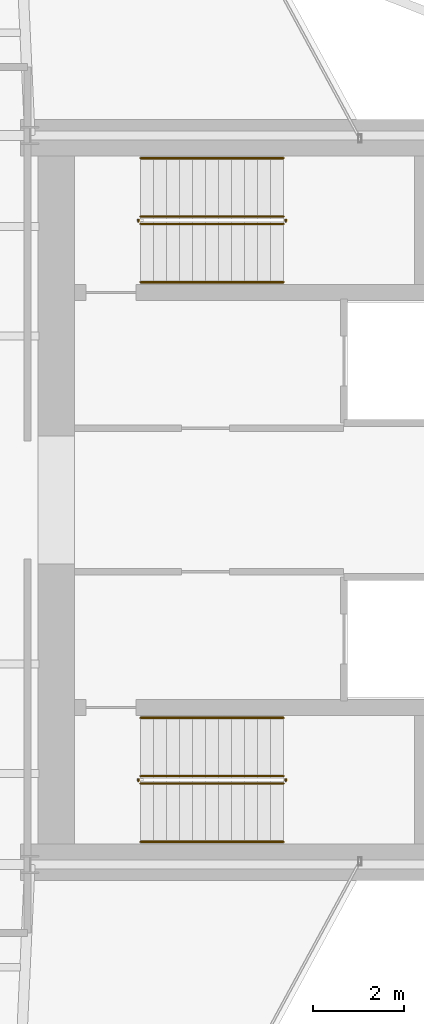
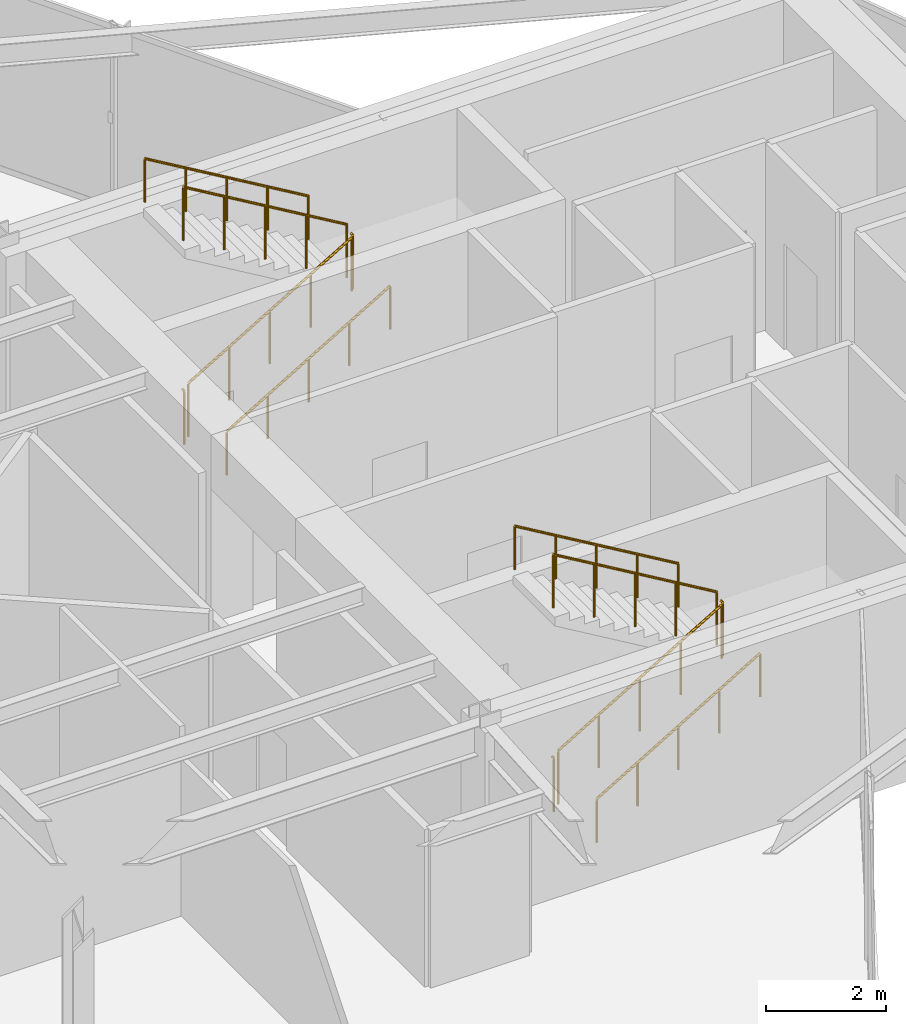
# One storey, part 26 of 26: 12 railings.
"""IFC4 building model written with IfcOpenShell, lengths in metres."""

from ifc_helpers import new_model, si_unit, direction, frame, origin, origin_2d, place, context, subcontext, project, spatial, circle, extrude, material, type_object, element, save


model = new_model("IFC4")

# Units and contexts
model_context = context("Model", 3, precision=1e-05, world=origin(), true_north=direction((0.0, 1.0)))
body_context = subcontext(model_context, "Body", "Model", "MODEL_VIEW")
ifc_project = project(units=[si_unit("LENGTHUNIT", "METRE"), si_unit("AREAUNIT", "SQUARE_METRE"), si_unit("VOLUMEUNIT", "CUBIC_METRE"), si_unit("PLANEANGLEUNIT", "RADIAN"), si_unit("MASSUNIT", "GRAM", prefix="KILO")], contexts=[model_context])

# Site, building, storey
site_placement = place(None, origin())
site = spatial("IfcSite", under=ifc_project, at=site_placement, CompositionType="ELEMENT")
building_placement = place(site_placement, origin())
building = spatial("IfcBuilding", under=site, at=building_placement, Name="Veymaron Broadcast Tower", CompositionType="ELEMENT")
storey_placement = place(building_placement, frame((0.0, 0.0, 157.35009765625)))
storey = spatial("IfcBuildingStorey", under=building, at=storey_placement, Name="L36", CompositionType="ELEMENT", Elevation=157.35009765625)

# Railings
ifc_material_1 = material(Name="Brushed stainless steel AISI 304", Category="steel")
railing_type_1 = type_object("IfcRailingType", Name="RAIL-STAIR-HR", PredefinedType="HANDRAIL", material=ifc_material_1)
railing_1_placement = place(storey_placement, frame((41.429931640625, 28.780029296875, 0.168701171875)))
element("IfcRailing", 1, at=railing_1_placement, inside=storey, type_object=railing_type_1, Name="L36 ST1 stair handrail 1", PredefinedType="HANDRAIL", context=body_context, shape_type="SweptSolid", body=[
    extrude(circle(Radius=0.02392578125, at=origin_2d()), frame((0.0, 0.0, 0.8759765625), z_axis=(0.860481960309, 0.0, 0.509480908359), x_axis=(0.0, 1.0, 0.0)), (0.0, 0.0, 1.0), 3.643310546875),
    extrude(circle(Radius=0.02099609375, at=origin_2d()), origin(), (0.0, 0.0, 1.0), 0.851806640625),
    extrude(circle(Radius=0.02099609375, at=origin_2d()), frame((0.78369140625, 0.0, 0.464111328125)), (0.0, 0.0, 1.0), 0.851806640625),
    extrude(circle(Radius=0.02099609375, at=origin_2d()), frame((1.5673828125, 0.0, 0.92822265625)), (0.0, 0.0, 1.0), 0.851806640625),
    extrude(circle(Radius=0.02099609375, at=origin_2d()), frame((2.351318359375, 0.0, 1.39208984375)), (0.0, 0.0, 1.0), 0.851806640625),
    extrude(circle(Radius=0.02099609375, at=origin_2d()), frame((3.135009765625, 0.0, 1.856201171875)), (0.0, 0.0, 1.0), 0.851806640625),
])
railing_2_placement = place(storey_placement, frame((44.56494140625, 31.5, 2.193603515625)))
element("IfcRailing", 2, at=railing_2_placement, inside=storey, type_object=railing_type_1, Name="L36 ST1 stair handrail 2", PredefinedType="HANDRAIL", context=body_context, shape_type="SweptSolid", body=[
    extrude(circle(Radius=0.02392578125, at=origin_2d()), frame((0.0, 0.0, 0.8759765625), z_axis=(-0.860481960309, 0.0, 0.509480908359), x_axis=(0.0, -1.0, 0.0)), (0.0, 0.0, 1.0), 3.643310546875),
    extrude(circle(Radius=0.02099609375, at=origin_2d()), origin(), (0.0, 0.0, 1.0), 0.851806640625),
    extrude(circle(Radius=0.02099609375, at=origin_2d()), frame((-0.78369140625, 0.0, 0.464111328125)), (0.0, 0.0, 1.0), 0.851806640625),
    extrude(circle(Radius=0.02099609375, at=origin_2d()), frame((-1.5673828125, 0.0, 0.92822265625)), (0.0, 0.0, 1.0), 0.851806640625),
    extrude(circle(Radius=0.02099609375, at=origin_2d()), frame((-2.351318359375, 0.0, 1.39208984375)), (0.0, 0.0, 1.0), 0.851806640625),
    extrude(circle(Radius=0.02099609375, at=origin_2d()), frame((-3.135009765625, 0.0, 1.856201171875)), (0.0, 0.0, 1.0), 0.851806640625),
])
railing_3_placement = place(storey_placement, frame((41.429931640625, 16.5, 0.168701171875)))
element("IfcRailing", 3, at=railing_3_placement, inside=storey, type_object=railing_type_1, Name="L36 ST2 stair handrail 1", PredefinedType="HANDRAIL", context=body_context, shape_type="SweptSolid", body=[
    extrude(circle(Radius=0.02392578125, at=origin_2d()), frame((0.0, 0.0, 0.8759765625), z_axis=(0.860481960309, 0.0, 0.509480908359), x_axis=(0.0, 1.0, 0.0)), (0.0, 0.0, 1.0), 3.643310546875),
    extrude(circle(Radius=0.02099609375, at=origin_2d()), origin(), (0.0, 0.0, 1.0), 0.851806640625),
    extrude(circle(Radius=0.02099609375, at=origin_2d()), frame((0.78369140625, 0.0, 0.464111328125)), (0.0, 0.0, 1.0), 0.851806640625),
    extrude(circle(Radius=0.02099609375, at=origin_2d()), frame((1.5673828125, 0.0, 0.92822265625)), (0.0, 0.0, 1.0), 0.851806640625),
    extrude(circle(Radius=0.02099609375, at=origin_2d()), frame((2.351318359375, 0.0, 1.39208984375)), (0.0, 0.0, 1.0), 0.851806640625),
    extrude(circle(Radius=0.02099609375, at=origin_2d()), frame((3.135009765625, 0.0, 1.856201171875)), (0.0, 0.0, 1.0), 0.851806640625),
])
railing_4_placement = place(storey_placement, frame((44.56494140625, 19.219970703125, 2.193603515625)))
element("IfcRailing", 4, at=railing_4_placement, inside=storey, type_object=railing_type_1, Name="L36 ST2 stair handrail 2", PredefinedType="HANDRAIL", context=body_context, shape_type="SweptSolid", body=[
    extrude(circle(Radius=0.02392578125, at=origin_2d()), frame((0.0, 0.0, 0.8759765625), z_axis=(-0.860481960309, 0.0, 0.509480908359), x_axis=(0.0, -1.0, 0.0)), (0.0, 0.0, 1.0), 3.643310546875),
    extrude(circle(Radius=0.02099609375, at=origin_2d()), origin(), (0.0, 0.0, 1.0), 0.851806640625),
    extrude(circle(Radius=0.02099609375, at=origin_2d()), frame((-0.78369140625, 0.0, 0.464111328125)), (0.0, 0.0, 1.0), 0.851806640625),
    extrude(circle(Radius=0.02099609375, at=origin_2d()), frame((-1.5673828125, 0.0, 0.92822265625)), (0.0, 0.0, 1.0), 0.851806640625),
    extrude(circle(Radius=0.02099609375, at=origin_2d()), frame((-2.351318359375, 0.0, 1.39208984375)), (0.0, 0.0, 1.0), 0.851806640625),
    extrude(circle(Radius=0.02099609375, at=origin_2d()), frame((-3.135009765625, 0.0, 1.856201171875)), (0.0, 0.0, 1.0), 0.851806640625),
])
ifc_material_2 = material(Name="Painted galvanized steel balustrade", Category="steel")
railing_type_2 = type_object("IfcRailingType", Name="RAIL-WELL-GRD", PredefinedType="GUARDRAIL", material=ifc_material_2)
railing_5_placement = place(storey_placement, frame((41.429931640625, 30.06005859375, 0.168701171875)))
element("IfcRailing", 5, at=railing_5_placement, inside=storey, type_object=railing_type_2, Name="L36 ST1 stair guard 1", PredefinedType="GUARDRAIL", context=body_context, shape_type="SweptSolid", body=[
    extrude(circle(Radius=0.02392578125, at=origin_2d()), frame((0.0, 0.0, 1.076171875), z_axis=(0.860481960309, 0.0, 0.509480908359), x_axis=(0.0, 1.0, 0.0)), (0.0, 0.0, 1.0), 3.643310546875),
    extrude(circle(Radius=0.02099609375, at=origin_2d()), origin(), (0.0, 0.0, 1.0), 1.052001953125),
    extrude(circle(Radius=0.02099609375, at=origin_2d()), frame((0.78369140625, 0.0, 0.464111328125)), (0.0, 0.0, 1.0), 1.052001953125),
    extrude(circle(Radius=0.02099609375, at=origin_2d()), frame((1.5673828125, 0.0, 0.92822265625)), (0.0, 0.0, 1.0), 1.052001953125),
    extrude(circle(Radius=0.02099609375, at=origin_2d()), frame((2.351318359375, 0.0, 1.39208984375)), (0.0, 0.0, 1.0), 1.052001953125),
    extrude(circle(Radius=0.02099609375, at=origin_2d()), frame((3.135009765625, 0.0, 1.856201171875)), (0.0, 0.0, 1.0), 1.052001953125),
])
railing_6_placement = place(storey_placement, frame((44.614990234375, 30.110107421875, 2.02490234375)))
element("IfcRailing", 6, at=railing_6_placement, inside=storey, type_object=railing_type_2, Name="L36 ST1 stair guard 2", PredefinedType="GUARDRAIL", context=body_context, shape_type="SweptSolid", body=[
    extrude(circle(Radius=0.02392578125, at=origin_2d()), frame((0.0, 0.0, 1.076171875), z_axis=(0.0, 1.0, 0.0), x_axis=(-1.0, 0.0, 0.0)), (0.0, 0.0, 1.0), 0.059814453125),
    extrude(circle(Radius=0.02099609375, at=origin_2d()), origin(), (0.0, 0.0, 1.0), 1.052001953125),
])
railing_7_placement = place(storey_placement, frame((44.56494140625, 30.219970703125, 2.193603515625)))
element("IfcRailing", 7, at=railing_7_placement, inside=storey, type_object=railing_type_2, Name="L36 ST1 stair guard 3", PredefinedType="GUARDRAIL", context=body_context, shape_type="SweptSolid", body=[
    extrude(circle(Radius=0.02392578125, at=origin_2d()), frame((0.0, 0.0, 1.076171875), z_axis=(-0.860481960309, 0.0, 0.509480908359), x_axis=(0.0, -1.0, 0.0)), (0.0, 0.0, 1.0), 3.643310546875),
    extrude(circle(Radius=0.02099609375, at=origin_2d()), origin(), (0.0, 0.0, 1.0), 1.052001953125),
    extrude(circle(Radius=0.02099609375, at=origin_2d()), frame((-0.78369140625, 0.0, 0.464111328125)), (0.0, 0.0, 1.0), 1.052001953125),
    extrude(circle(Radius=0.02099609375, at=origin_2d()), frame((-1.5673828125, 0.0, 0.92822265625)), (0.0, 0.0, 1.0), 1.052001953125),
    extrude(circle(Radius=0.02099609375, at=origin_2d()), frame((-2.351318359375, 0.0, 1.39208984375)), (0.0, 0.0, 1.0), 1.052001953125),
    extrude(circle(Radius=0.02099609375, at=origin_2d()), frame((-3.135009765625, 0.0, 1.856201171875)), (0.0, 0.0, 1.0), 1.052001953125),
])
railing_8_placement = place(storey_placement, frame((41.3798828125, 30.110107421875, 0.0)))
element("IfcRailing", 8, at=railing_8_placement, inside=storey, type_object=railing_type_2, Name="L36 ST1 stair guard 4", PredefinedType="GUARDRAIL", context=body_context, shape_type="SweptSolid", body=[
    extrude(circle(Radius=0.02392578125, at=origin_2d()), frame((0.0, 0.0, 1.076171875), z_axis=(0.0, 1.0, 0.0), x_axis=(-1.0, 0.0, 0.0)), (0.0, 0.0, 1.0), 0.059814453125),
    extrude(circle(Radius=0.02099609375, at=origin_2d()), origin(), (0.0, 0.0, 1.0), 1.052001953125),
])
railing_9_placement = place(storey_placement, frame((41.429931640625, 17.780029296875, 0.168701171875)))
element("IfcRailing", 9, at=railing_9_placement, inside=storey, type_object=railing_type_2, Name="L36 ST2 stair guard 1", PredefinedType="GUARDRAIL", context=body_context, shape_type="SweptSolid", body=[
    extrude(circle(Radius=0.02392578125, at=origin_2d()), frame((0.0, 0.0, 1.076171875), z_axis=(0.860481960309, 0.0, 0.509480908359), x_axis=(0.0, 1.0, 0.0)), (0.0, 0.0, 1.0), 3.643310546875),
    extrude(circle(Radius=0.02099609375, at=origin_2d()), origin(), (0.0, 0.0, 1.0), 1.052001953125),
    extrude(circle(Radius=0.02099609375, at=origin_2d()), frame((0.78369140625, 0.0, 0.464111328125)), (0.0, 0.0, 1.0), 1.052001953125),
    extrude(circle(Radius=0.02099609375, at=origin_2d()), frame((1.5673828125, 0.0, 0.92822265625)), (0.0, 0.0, 1.0), 1.052001953125),
    extrude(circle(Radius=0.02099609375, at=origin_2d()), frame((2.351318359375, 0.0, 1.39208984375)), (0.0, 0.0, 1.0), 1.052001953125),
    extrude(circle(Radius=0.02099609375, at=origin_2d()), frame((3.135009765625, 0.0, 1.856201171875)), (0.0, 0.0, 1.0), 1.052001953125),
])
railing_10_placement = place(storey_placement, frame((44.614990234375, 17.830078125, 2.02490234375)))
element("IfcRailing", 10, at=railing_10_placement, inside=storey, type_object=railing_type_2, Name="L36 ST2 stair guard 2", PredefinedType="GUARDRAIL", context=body_context, shape_type="SweptSolid", body=[
    extrude(circle(Radius=0.02392578125, at=origin_2d()), frame((0.0, 0.0, 1.076171875), z_axis=(0.0, 1.0, 0.0), x_axis=(-1.0, 0.0, 0.0)), (0.0, 0.0, 1.0), 0.059814453125),
    extrude(circle(Radius=0.02099609375, at=origin_2d()), origin(), (0.0, 0.0, 1.0), 1.052001953125),
])
railing_11_placement = place(storey_placement, frame((44.56494140625, 17.93994140625, 2.193603515625)))
element("IfcRailing", 11, at=railing_11_placement, inside=storey, type_object=railing_type_2, Name="L36 ST2 stair guard 3", PredefinedType="GUARDRAIL", context=body_context, shape_type="SweptSolid", body=[
    extrude(circle(Radius=0.02392578125, at=origin_2d()), frame((0.0, 0.0, 1.076171875), z_axis=(-0.860481960309, 0.0, 0.509480908359), x_axis=(0.0, -1.0, 0.0)), (0.0, 0.0, 1.0), 3.643310546875),
    extrude(circle(Radius=0.02099609375, at=origin_2d()), origin(), (0.0, 0.0, 1.0), 1.052001953125),
    extrude(circle(Radius=0.02099609375, at=origin_2d()), frame((-0.78369140625, 0.0, 0.464111328125)), (0.0, 0.0, 1.0), 1.052001953125),
    extrude(circle(Radius=0.02099609375, at=origin_2d()), frame((-1.5673828125, 0.0, 0.92822265625)), (0.0, 0.0, 1.0), 1.052001953125),
    extrude(circle(Radius=0.02099609375, at=origin_2d()), frame((-2.351318359375, 0.0, 1.39208984375)), (0.0, 0.0, 1.0), 1.052001953125),
    extrude(circle(Radius=0.02099609375, at=origin_2d()), frame((-3.135009765625, 0.0, 1.856201171875)), (0.0, 0.0, 1.0), 1.052001953125),
])
railing_12_placement = place(storey_placement, frame((41.3798828125, 17.830078125, 0.0)))
element("IfcRailing", 12, at=railing_12_placement, inside=storey, type_object=railing_type_2, Name="L36 ST2 stair guard 4", PredefinedType="GUARDRAIL", context=body_context, shape_type="SweptSolid", body=[
    extrude(circle(Radius=0.02392578125, at=origin_2d()), frame((0.0, 0.0, 1.076171875), z_axis=(0.0, 1.0, 0.0), x_axis=(-1.0, 0.0, 0.0)), (0.0, 0.0, 1.0), 0.059814453125),
    extrude(circle(Radius=0.02099609375, at=origin_2d()), origin(), (0.0, 0.0, 1.0), 1.052001953125),
])

save(model, "model.ifc")
